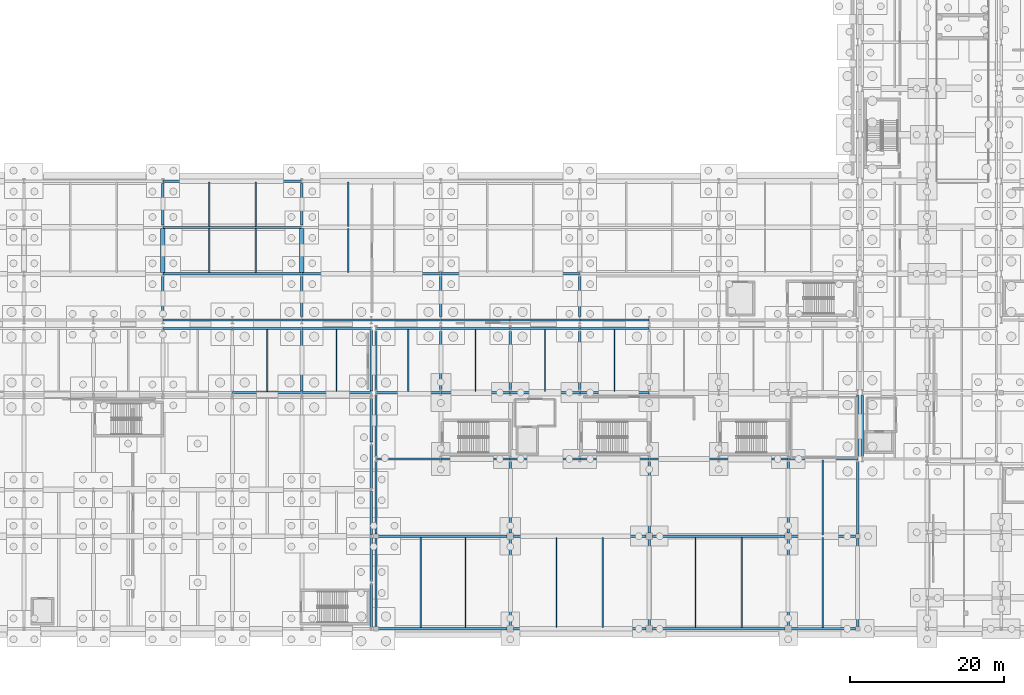
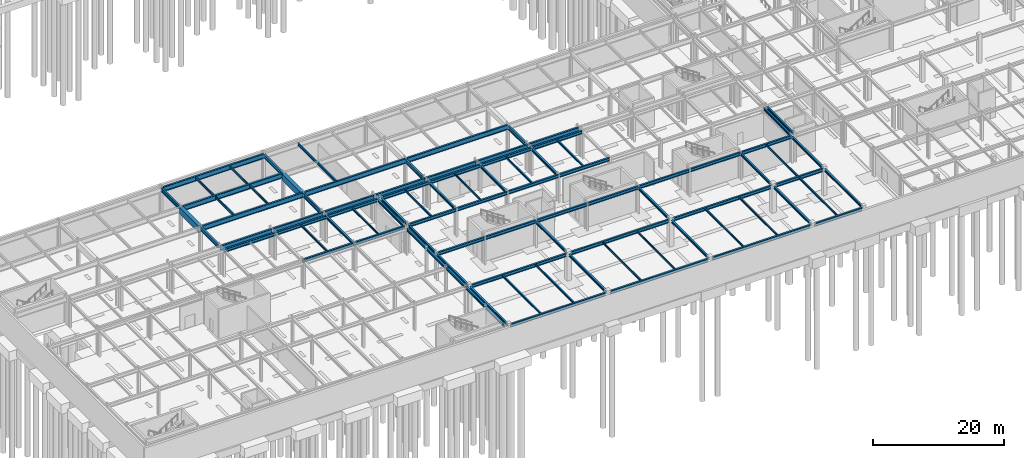
# One storey, part 35 of 65: 92 beams.
"""IFC4 building model written with IfcOpenShell, lengths in metres."""

from ifc_helpers import new_model, si_unit, direction, frame, origin, origin_2d, place, context, subcontext, project, spatial, rectangle, i_section, extrude, material, material_profile, profile_set, type_object, element, save


model = new_model("IFC4")

# Units and contexts
model_context = context("Model", 3, precision=1e-05, world=origin(), true_north=direction((0.0, 1.0)))
body_context = subcontext(model_context, "Body", "Model", "MODEL_VIEW")
ifc_project = project(units=[si_unit("LENGTHUNIT", "METRE"), si_unit("AREAUNIT", "SQUARE_METRE"), si_unit("VOLUMEUNIT", "CUBIC_METRE"), si_unit("PLANEANGLEUNIT", "RADIAN"), si_unit("MASSUNIT", "GRAM", prefix="KILO")], contexts=[model_context])

# Site, building, storey
site_placement = place(None, origin())
site = spatial("IfcSite", under=ifc_project, at=site_placement, CompositionType="ELEMENT")
building_placement = place(site_placement, origin())
building = spatial("IfcBuilding", under=site, at=building_placement, Name="Kaldris Quays Convention Centre", CompositionType="ELEMENT")
storey_placement = place(building_placement, frame((0.0, 0.0, -5.39990234375)))
storey = spatial("IfcBuildingStorey", under=building, at=storey_placement, Name="B1", CompositionType="ELEMENT", Elevation=-5.39990234375)

# Beams
ifc_material_1 = material(Name="Steel S355J2", Category="steel")
ifc_material_profile_1 = material_profile(ifc_material_1, i_section(OverallWidth=0.300048828125, OverallDepth=0.89990234375, WebThickness=0.0185546875, FlangeThickness=0.034912109375, FilletRadius=0.030029296875, at=origin_2d()), Name="HEB 900")
ifc_profile_set_1 = profile_set([ifc_material_profile_1], Name="Steel S355J2")
beam_type_1 = type_object("IfcBeamType", Name="STRUCTURAL BEAM BM02", PredefinedType="BEAM", material=ifc_profile_set_1)
beam_1_placement = place(storey_placement, frame((56.00341796875, 56.0, 4.5830078125), z_axis=(1.0, 0.0, 0.0), x_axis=(0.0, 1.0, 0.0)))
element("IfcBeam", 1, at=beam_1_placement, inside=storey, type_object=beam_type_1, Name="B1 Girder BM02 5", PredefinedType="BEAM", context=body_context, shape_type="SweptSolid", body=[
    extrude(i_section(OverallWidth=0.300048828125, OverallDepth=0.89990234375, WebThickness=0.0185546875, FlangeThickness=0.034912109375, FilletRadius=0.030029296875, at=origin_2d()), origin(), (0.0, 0.0, 1.0), 8.993408203125),
])
for number, where, z_axis, x_axis, name in (
    (2, (65.003173828125, 56.0, 4.5830078125), (1.0, 0.0, 0.0), (0.0, 1.0, 0.0), "B1 Girder BM02 6"),
    (3, (74.003173828125, 56.0, 4.5830078125), (1.0, 0.0, 0.0), (0.0, 1.0, 0.0), "B1 Girder BM02 7"),
    (4, (83.003173828125, 56.0, 4.5830078125), (1.0, 0.0, 0.0), (0.0, 1.0, 0.0), "B1 Girder BM02 8"),
    (5, (92.003173828125, 56.0, 4.5830078125), (1.0, 0.0, 0.0), (0.0, 1.0, 0.0), "B1 Girder BM02 9"),
    (6, (101.003173828125, 56.0, 4.5830078125), (1.0, 0.0, 0.0), (0.0, 1.0, 0.0), "B1 Girder BM02 10"),
    (7, (110.003173828125, 56.0, 4.5830078125), (1.0, 0.0, 0.0), (0.0, 1.0, 0.0), "B1 Girder BM02 11"),
):
    element("IfcBeam", number, at=place(storey_placement, frame(where, z_axis=z_axis, x_axis=x_axis)), inside=storey, type_object=beam_type_1, Name=name, PredefinedType="BEAM", context=body_context, shape_type="SweptSolid", body=[
        extrude(i_section(OverallWidth=0.300048828125, OverallDepth=0.89990234375, WebThickness=0.0185546875, FlangeThickness=0.034912109375, FilletRadius=0.030029296875, at=origin_2d()), origin(), (0.0, 0.0, 1.0), 8.99365234375),
    ])
for number, where, z_axis, x_axis, name in (
    (8, (56.001708984375, 62.0, 4.5830078125), (1.0, 0.0, 0.0), (0.0, 1.0, 0.0), "B1 Girder BM02 17"),
    (9, (74.001708984375, 62.0, 4.5830078125), (1.0, 0.0, 0.0), (0.0, 1.0, 0.0), "B1 Girder BM02 18"),
    (10, (92.001708984375, 62.0, 4.5830078125), (1.0, 0.0, 0.0), (0.0, 1.0, 0.0), "B1 Girder BM02 19"),
    (11, (56.001708984375, 68.0, 4.5830078125), (1.0, 0.0, 0.0), (0.0, 1.0, 0.0), "B1 Girder BM02 24"),
    (12, (56.001708984375, 74.0, 4.5078125), (1.0, 0.0, 0.0), (0.0, 1.0, 0.0), "B1 Girder BM02 31"),
):
    element("IfcBeam", number, at=place(storey_placement, frame(where, z_axis=z_axis, x_axis=x_axis)), inside=storey, type_object=beam_type_1, Name=name, PredefinedType="BEAM", context=body_context, shape_type="SweptSolid", body=[
        extrude(i_section(OverallWidth=0.300048828125, OverallDepth=0.89990234375, WebThickness=0.0185546875, FlangeThickness=0.034912109375, FilletRadius=0.030029296875, at=origin_2d()), origin(), (0.0, 0.0, 1.0), 17.99658203125),
    ])
ifc_material_profile_2 = material_profile(ifc_material_1, i_section(OverallWidth=0.300048828125, OverallDepth=0.699951171875, WebThickness=0.01708984375, FlangeThickness=0.031982421875, FilletRadius=0.027099609375, at=origin_2d()), Name="HEB 700")
ifc_profile_set_2 = profile_set([ifc_material_profile_2], Name="Steel S355J2")
beam_type_2 = type_object("IfcBeamType", Name="STRUCTURAL BEAM BM04", PredefinedType="BEAM", material=ifc_profile_set_2)
beam_2_placement = place(storey_placement, frame((56.0, 56.444091796875, 4.682861328125), z_axis=(0.0, 1.0, 0.0), x_axis=(-1.0, 0.0, 0.0)))
element("IfcBeam", 13, at=beam_2_placement, inside=storey, type_object=beam_type_2, Name="B1 Girder BM04 74", PredefinedType="BEAM", context=body_context, shape_type="SweptSolid", body=[
    extrude(i_section(OverallWidth=0.300048828125, OverallDepth=0.699951171875, WebThickness=0.01708984375, FlangeThickness=0.031982421875, FilletRadius=0.027099609375, at=origin_2d()), origin(), (0.0, 0.0, 1.0), 5.261962890625),
])
beam_3_placement = place(storey_placement, frame((56.0, 68.2939453125, 4.682861328125), z_axis=(0.0, 1.0, 0.0), x_axis=(-1.0, 0.0, 0.0)))
element("IfcBeam", 14, at=beam_3_placement, inside=storey, type_object=beam_type_2, Name="B1 Girder BM04 75", PredefinedType="BEAM", context=body_context, shape_type="SweptSolid", body=[
    extrude(i_section(OverallWidth=0.300048828125, OverallDepth=0.699951171875, WebThickness=0.01708984375, FlangeThickness=0.031982421875, FilletRadius=0.027099609375, at=origin_2d()), origin(), (0.0, 0.0, 1.0), 5.412109375),
])
beam_4_placement = place(storey_placement, frame((74.0, 56.444091796875, 4.682861328125), z_axis=(0.0, 1.0, 0.0), x_axis=(-1.0, 0.0, 0.0)))
element("IfcBeam", 15, at=beam_4_placement, inside=storey, type_object=beam_type_2, Name="B1 Girder BM04 77", PredefinedType="BEAM", context=body_context, shape_type="SweptSolid", body=[
    extrude(i_section(OverallWidth=0.300048828125, OverallDepth=0.699951171875, WebThickness=0.01708984375, FlangeThickness=0.031982421875, FilletRadius=0.027099609375, at=origin_2d()), origin(), (0.0, 0.0, 1.0), 5.261962890625),
])
beam_5_placement = place(storey_placement, frame((74.0, 68.2939453125, 4.682861328125), z_axis=(0.0, 1.0, 0.0), x_axis=(-1.0, 0.0, 0.0)))
element("IfcBeam", 16, at=beam_5_placement, inside=storey, type_object=beam_type_2, Name="B1 Girder BM04 78", PredefinedType="BEAM", context=body_context, shape_type="SweptSolid", body=[
    extrude(i_section(OverallWidth=0.300048828125, OverallDepth=0.699951171875, WebThickness=0.01708984375, FlangeThickness=0.031982421875, FilletRadius=0.027099609375, at=origin_2d()), origin(), (0.0, 0.0, 1.0), 5.412109375),
])
for number, where, z_axis, x_axis, name in (
    (17, (92.0, 56.444091796875, 4.682861328125), (0.0, 1.0, 0.0), (-1.0, 0.0, 0.0), "B1 Girder BM04 80"),
    (18, (110.0, 56.444091796875, 4.682861328125), (0.0, 1.0, 0.0), (-1.0, 0.0, 0.0), "B1 Girder BM04 83"),
):
    element("IfcBeam", number, at=place(storey_placement, frame(where, z_axis=z_axis, x_axis=x_axis)), inside=storey, type_object=beam_type_2, Name=name, PredefinedType="BEAM", context=body_context, shape_type="SweptSolid", body=[
        extrude(i_section(OverallWidth=0.300048828125, OverallDepth=0.699951171875, WebThickness=0.01708984375, FlangeThickness=0.031982421875, FilletRadius=0.027099609375, at=origin_2d()), origin(), (0.0, 0.0, 1.0), 5.261962890625),
    ])
ifc_material_profile_3 = material_profile(ifc_material_1, i_section(OverallWidth=0.300048828125, OverallDepth=0.60009765625, WebThickness=0.015380859375, FlangeThickness=0.030029296875, FilletRadius=0.027099609375, at=origin_2d()), Name="HEB 600")
ifc_profile_set_3 = profile_set([ifc_material_profile_3], Name="Steel S355J2")
beam_type_3 = type_object("IfcBeamType", Name="STRUCTURAL BEAM BM05", PredefinedType="BEAM", material=ifc_profile_set_3)
beam_6_placement = place(storey_placement, frame((83.89404296875, 16.0, 4.697998046875), z_axis=(1.0, 0.0, 0.0), x_axis=(0.0, 1.0, 0.0)))
element("IfcBeam", 19, at=beam_6_placement, inside=storey, type_object=beam_type_3, Name="B1 Girder BM05 1", PredefinedType="BEAM", context=body_context, shape_type="SweptSolid", body=[
    extrude(i_section(OverallWidth=0.300048828125, OverallDepth=0.60009765625, WebThickness=0.015380859375, FlangeThickness=0.030029296875, FilletRadius=0.027099609375, at=origin_2d()), origin(), (0.0, 0.0, 1.0), 16.7119140625),
])
for number, where, z_axis, x_axis, name in (
    (20, (101.39404296875, 16.0, 4.697998046875), (1.0, 0.0, 0.0), (0.0, 1.0, 0.0), "B1 Girder BM05 2"),
    (21, (119.39404296875, 16.0, 4.697998046875), (1.0, 0.0, 0.0), (0.0, 1.0, 0.0), "B1 Girder BM05 3"),
):
    element("IfcBeam", number, at=place(storey_placement, frame(where, z_axis=z_axis, x_axis=x_axis)), inside=storey, type_object=beam_type_3, Name=name, PredefinedType="BEAM", context=body_context, shape_type="SweptSolid", body=[
        extrude(i_section(OverallWidth=0.300048828125, OverallDepth=0.60009765625, WebThickness=0.015380859375, FlangeThickness=0.030029296875, FilletRadius=0.027099609375, at=origin_2d()), origin(), (0.0, 0.0, 1.0), 17.2119140625),
    ])
beam_7_placement = place(storey_placement, frame((137.39404296875, 16.0, 4.697998046875), z_axis=(1.0, 0.0, 0.0), x_axis=(0.0, 1.0, 0.0)))
element("IfcBeam", 22, at=beam_7_placement, inside=storey, type_object=beam_type_3, Name="B1 Girder BM05 4", PredefinedType="BEAM", context=body_context, shape_type="SweptSolid", body=[
    extrude(i_section(OverallWidth=0.300048828125, OverallDepth=0.60009765625, WebThickness=0.015380859375, FlangeThickness=0.030029296875, FilletRadius=0.027099609375, at=origin_2d()), origin(), (0.0, 0.0, 1.0), 8.31201171875),
])
beam_8_placement = place(storey_placement, frame((83.89404296875, 28.0, 4.697998046875), z_axis=(1.0, 0.0, 0.0), x_axis=(0.0, 1.0, 0.0)))
element("IfcBeam", 23, at=beam_8_placement, inside=storey, type_object=beam_type_3, Name="B1 Girder BM05 5", PredefinedType="BEAM", context=body_context, shape_type="SweptSolid", body=[
    extrude(i_section(OverallWidth=0.300048828125, OverallDepth=0.60009765625, WebThickness=0.015380859375, FlangeThickness=0.030029296875, FilletRadius=0.027099609375, at=origin_2d()), origin(), (0.0, 0.0, 1.0), 16.7119140625),
])
for number, where, z_axis, x_axis, name in (
    (24, (101.39404296875, 28.0, 4.697998046875), (1.0, 0.0, 0.0), (0.0, 1.0, 0.0), "B1 Girder BM05 6"),
    (25, (119.39404296875, 28.0, 4.697998046875), (1.0, 0.0, 0.0), (0.0, 1.0, 0.0), "B1 Girder BM05 7"),
):
    element("IfcBeam", number, at=place(storey_placement, frame(where, z_axis=z_axis, x_axis=x_axis)), inside=storey, type_object=beam_type_3, Name=name, PredefinedType="BEAM", context=body_context, shape_type="SweptSolid", body=[
        extrude(i_section(OverallWidth=0.300048828125, OverallDepth=0.60009765625, WebThickness=0.015380859375, FlangeThickness=0.030029296875, FilletRadius=0.027099609375, at=origin_2d()), origin(), (0.0, 0.0, 1.0), 17.2119140625),
    ])
beam_9_placement = place(storey_placement, frame((137.39404296875, 28.0, 4.697998046875), z_axis=(1.0, 0.0, 0.0), x_axis=(0.0, 1.0, 0.0)))
element("IfcBeam", 26, at=beam_9_placement, inside=storey, type_object=beam_type_3, Name="B1 Girder BM05 8", PredefinedType="BEAM", context=body_context, shape_type="SweptSolid", body=[
    extrude(i_section(OverallWidth=0.300048828125, OverallDepth=0.60009765625, WebThickness=0.015380859375, FlangeThickness=0.030029296875, FilletRadius=0.027099609375, at=origin_2d()), origin(), (0.0, 0.0, 1.0), 8.31201171875),
])
beam_10_placement = place(storey_placement, frame((83.6025390625, 38.0, 4.697998046875), z_axis=(1.0, 0.0, 0.0), x_axis=(0.0, 1.0, 0.0)))
element("IfcBeam", 27, at=beam_10_placement, inside=storey, type_object=beam_type_3, Name="B1 Girder BM05 9", PredefinedType="BEAM", context=body_context, shape_type="SweptSolid", body=[
    extrude(i_section(OverallWidth=0.300048828125, OverallDepth=0.60009765625, WebThickness=0.015380859375, FlangeThickness=0.030029296875, FilletRadius=0.027099609375, at=origin_2d()), origin(), (0.0, 0.0, 1.0), 8.39501953125),
])
for number, where, z_axis, x_axis, name in (
    (28, (92.00244140625, 38.0, 4.697998046875), (1.0, 0.0, 0.0), (0.0, 1.0, 0.0), "B1 Girder BM05 10"),
    (29, (101.00244140625, 38.0, 4.697998046875), (1.0, 0.0, 0.0), (0.0, 1.0, 0.0), "B1 Girder BM05 11"),
    (30, (110.00244140625, 38.0, 4.697998046875), (1.0, 0.0, 0.0), (0.0, 1.0, 0.0), "B1 Girder BM05 12"),
    (31, (119.00244140625, 38.0, 4.697998046875), (1.0, 0.0, 0.0), (0.0, 1.0, 0.0), "B1 Girder BM05 13"),
    (32, (128.00244140625, 38.0, 4.697998046875), (1.0, 0.0, 0.0), (0.0, 1.0, 0.0), "B1 Girder BM05 14"),
    (33, (137.00244140625, 38.0, 4.697998046875), (1.0, 0.0, 0.0), (0.0, 1.0, 0.0), "B1 Girder BM05 15"),
):
    element("IfcBeam", number, at=place(storey_placement, frame(where, z_axis=z_axis, x_axis=x_axis)), inside=storey, type_object=beam_type_3, Name=name, PredefinedType="BEAM", context=body_context, shape_type="SweptSolid", body=[
        extrude(i_section(OverallWidth=0.300048828125, OverallDepth=0.60009765625, WebThickness=0.015380859375, FlangeThickness=0.030029296875, FilletRadius=0.027099609375, at=origin_2d()), origin(), (0.0, 0.0, 1.0), 8.9951171875),
    ])
for number, where, z_axis, x_axis, name in (
    (34, (64.99951171875, 46.60009765625, 4.747802734375), (1.0, 0.0, 0.0), (0.0, 1.0, 0.0), "B1 Girder BM05 22"),
    (35, (73.99951171875, 46.60009765625, 4.747802734375), (1.0, 0.0, 0.0), (0.0, 1.0, 0.0), "B1 Girder BM05 23"),
):
    element("IfcBeam", number, at=place(storey_placement, frame(where, z_axis=z_axis, x_axis=x_axis)), inside=storey, type_object=beam_type_3, Name=name, PredefinedType="BEAM", context=body_context, shape_type="SweptSolid", body=[
        extrude(i_section(OverallWidth=0.300048828125, OverallDepth=0.60009765625, WebThickness=0.015380859375, FlangeThickness=0.030029296875, FilletRadius=0.027099609375, at=origin_2d()), origin(), (0.0, 0.0, 1.0), 9.0009765625),
    ])
beam_11_placement = place(storey_placement, frame((83.6025390625, 46.60009765625, 4.802978515625), z_axis=(1.0, 0.0, 0.0), x_axis=(0.0, 1.0, 0.0)))
element("IfcBeam", 36, at=beam_11_placement, inside=storey, type_object=beam_type_3, Name="B1 Girder BM05 24", PredefinedType="BEAM", context=body_context, shape_type="SweptSolid", body=[
    extrude(i_section(OverallWidth=0.300048828125, OverallDepth=0.60009765625, WebThickness=0.015380859375, FlangeThickness=0.030029296875, FilletRadius=0.027099609375, at=origin_2d()), origin(), (0.0, 0.0, 1.0), 8.39501953125),
])
for number, where, z_axis, x_axis, name in (
    (37, (92.00244140625, 46.60009765625, 4.802978515625), (1.0, 0.0, 0.0), (0.0, 1.0, 0.0), "B1 Girder BM05 25"),
    (38, (101.00244140625, 46.60009765625, 4.802978515625), (1.0, 0.0, 0.0), (0.0, 1.0, 0.0), "B1 Girder BM05 26"),
    (39, (110.00244140625, 46.60009765625, 4.802978515625), (1.0, 0.0, 0.0), (0.0, 1.0, 0.0), "B1 Girder BM05 27"),
):
    element("IfcBeam", number, at=place(storey_placement, frame(where, z_axis=z_axis, x_axis=x_axis)), inside=storey, type_object=beam_type_3, Name=name, PredefinedType="BEAM", context=body_context, shape_type="SweptSolid", body=[
        extrude(i_section(OverallWidth=0.300048828125, OverallDepth=0.60009765625, WebThickness=0.015380859375, FlangeThickness=0.030029296875, FilletRadius=0.027099609375, at=origin_2d()), origin(), (0.0, 0.0, 1.0), 8.9951171875),
    ])
for number, where, z_axis, x_axis, name in (
    (40, (55.99951171875, 54.89990234375, 4.747802734375), (1.0, 0.0, 0.0), (0.0, 1.0, 0.0), "B1 Girder BM05 40"),
    (41, (64.99951171875, 54.89990234375, 4.747802734375), (1.0, 0.0, 0.0), (0.0, 1.0, 0.0), "B1 Girder BM05 41"),
    (42, (73.99951171875, 54.89990234375, 4.747802734375), (1.0, 0.0, 0.0), (0.0, 1.0, 0.0), "B1 Girder BM05 42"),
):
    element("IfcBeam", number, at=place(storey_placement, frame(where, z_axis=z_axis, x_axis=x_axis)), inside=storey, type_object=beam_type_3, Name=name, PredefinedType="BEAM", context=body_context, shape_type="SweptSolid", body=[
        extrude(i_section(OverallWidth=0.300048828125, OverallDepth=0.60009765625, WebThickness=0.015380859375, FlangeThickness=0.030029296875, FilletRadius=0.027099609375, at=origin_2d()), origin(), (0.0, 0.0, 1.0), 9.0009765625),
    ])
beam_12_placement = place(storey_placement, frame((83.6025390625, 54.89990234375, 4.802978515625), z_axis=(1.0, 0.0, 0.0), x_axis=(0.0, 1.0, 0.0)))
element("IfcBeam", 43, at=beam_12_placement, inside=storey, type_object=beam_type_3, Name="B1 Girder BM05 43", PredefinedType="BEAM", context=body_context, shape_type="SweptSolid", body=[
    extrude(i_section(OverallWidth=0.300048828125, OverallDepth=0.60009765625, WebThickness=0.015380859375, FlangeThickness=0.030029296875, FilletRadius=0.027099609375, at=origin_2d()), origin(), (0.0, 0.0, 1.0), 8.39501953125),
])
for number, where, z_axis, x_axis, name in (
    (44, (92.00244140625, 54.89990234375, 4.802978515625), (1.0, 0.0, 0.0), (0.0, 1.0, 0.0), "B1 Girder BM05 44"),
    (45, (101.00244140625, 54.89990234375, 4.802978515625), (1.0, 0.0, 0.0), (0.0, 1.0, 0.0), "B1 Girder BM05 45"),
    (46, (110.00244140625, 54.89990234375, 4.802978515625), (1.0, 0.0, 0.0), (0.0, 1.0, 0.0), "B1 Girder BM05 46"),
):
    element("IfcBeam", number, at=place(storey_placement, frame(where, z_axis=z_axis, x_axis=x_axis)), inside=storey, type_object=beam_type_3, Name=name, PredefinedType="BEAM", context=body_context, shape_type="SweptSolid", body=[
        extrude(i_section(OverallWidth=0.300048828125, OverallDepth=0.60009765625, WebThickness=0.015380859375, FlangeThickness=0.030029296875, FilletRadius=0.027099609375, at=origin_2d()), origin(), (0.0, 0.0, 1.0), 8.9951171875),
    ])
ifc_material_profile_4 = material_profile(ifc_material_1, i_section(OverallWidth=0.300048828125, OverallDepth=0.5, WebThickness=0.014404296875, FlangeThickness=0.028076171875, FilletRadius=0.027099609375, at=origin_2d()), Name="HEB 500")
ifc_profile_set_4 = profile_set([ifc_material_profile_4], Name="Steel S355J2")
beam_type_4 = type_object("IfcBeamType", Name="STRUCTURAL BEAM BM06", PredefinedType="BEAM", material=ifc_profile_set_4)
for number, where, z_axis, x_axis, name in (
    (47, (83.0, 16.19140625, 4.852783203125), (0.0, 1.0, 0.0), (-1.0, 0.0, 0.0), "B1 Girder BM06 48"),
    (48, (83.0, 22.19140625, 4.852783203125), (0.0, 1.0, 0.0), (-1.0, 0.0, 0.0), "B1 Girder BM06 49"),
    (49, (83.0, 28.19140625, 4.852783203125), (0.0, 1.0, 0.0), (-1.0, 0.0, 0.0), "B1 Girder BM06 50"),
    (50, (83.0, 34.19140625, 4.7978515625), (0.0, 1.0, 0.0), (-1.0, 0.0, 0.0), "B1 Girder BM06 51"),
    (51, (83.0, 40.19140625, 4.7978515625), (0.0, 1.0, 0.0), (-1.0, 0.0, 0.0), "B1 Girder BM06 52"),
):
    element("IfcBeam", number, at=place(storey_placement, frame(where, z_axis=z_axis, x_axis=x_axis)), inside=storey, type_object=beam_type_4, Name=name, PredefinedType="BEAM", context=body_context, shape_type="SweptSolid", body=[
        extrude(i_section(OverallWidth=0.300048828125, OverallDepth=0.5, WebThickness=0.014404296875, FlangeThickness=0.028076171875, FilletRadius=0.027099609375, at=origin_2d()), origin(), (0.0, 0.0, 1.0), 5.6171875),
    ])
ifc_material_profile_5 = material_profile(ifc_material_1, i_section(OverallWidth=0.300048828125, OverallDepth=0.449951171875, WebThickness=0.013916015625, FlangeThickness=0.02587890625, FilletRadius=0.027099609375, at=origin_2d()), Name="HEB 450")
ifc_profile_set_5 = profile_set([ifc_material_profile_5], Name="Steel S355J2")
beam_type_5 = type_object("IfcBeamType", Name="STRUCTURAL BEAM BM07", PredefinedType="BEAM", material=ifc_profile_set_5)
for number, where, z_axis, x_axis, name in (
    (52, (74.0, 46.7890625, 4.822998046875), (0.0, 1.0, 0.0), (-1.0, 0.0, 0.0), "B1 Girder BM07 92"),
    (53, (83.0, 46.7890625, 4.822998046875), (0.0, 1.0, 0.0), (-1.0, 0.0, 0.0), "B1 Girder BM07 93"),
):
    element("IfcBeam", number, at=place(storey_placement, frame(where, z_axis=z_axis, x_axis=x_axis)), inside=storey, type_object=beam_type_5, Name=name, PredefinedType="BEAM", context=body_context, shape_type="SweptSolid", body=[
        extrude(i_section(OverallWidth=0.300048828125, OverallDepth=0.449951171875, WebThickness=0.013916015625, FlangeThickness=0.02587890625, FilletRadius=0.027099609375, at=origin_2d()), origin(), (0.0, 0.0, 1.0), 7.921875),
    ])
beam_13_placement = place(storey_placement, frame((83.60009765625, 16.2939453125, 4.77294921875), z_axis=(0.0, 1.0, 0.0), x_axis=(-1.0, 0.0, 0.0)))
element("IfcBeam", 54, at=beam_13_placement, inside=storey, type_object=beam_type_5, Name="B1 Girder BM07 94", PredefinedType="BEAM", context=body_context, shape_type="SweptSolid", body=[
    extrude(i_section(OverallWidth=0.300048828125, OverallDepth=0.449951171875, WebThickness=0.013916015625, FlangeThickness=0.02587890625, FilletRadius=0.027099609375, at=origin_2d()), origin(), (0.0, 0.0, 1.0), 11.412109375),
])
beam_14_placement = place(storey_placement, frame((83.60009765625, 28.2939453125, 4.77294921875), z_axis=(0.0, 1.0, 0.0), x_axis=(-1.0, 0.0, 0.0)))
element("IfcBeam", 55, at=beam_14_placement, inside=storey, type_object=beam_type_5, Name="B1 Girder BM07 95", PredefinedType="BEAM", context=body_context, shape_type="SweptSolid", body=[
    extrude(i_section(OverallWidth=0.300048828125, OverallDepth=0.449951171875, WebThickness=0.013916015625, FlangeThickness=0.02587890625, FilletRadius=0.027099609375, at=origin_2d()), origin(), (0.0, 0.0, 1.0), 9.362060546875),
])
beam_15_placement = place(storey_placement, frame((83.60009765625, 38.343994140625, 4.8779296875), z_axis=(0.0, 1.0, 0.0), x_axis=(-1.0, 0.0, 0.0)))
element("IfcBeam", 56, at=beam_15_placement, inside=storey, type_object=beam_type_5, Name="B1 Girder BM07 96", PredefinedType="BEAM", context=body_context, shape_type="SweptSolid", body=[
    extrude(i_section(OverallWidth=0.300048828125, OverallDepth=0.449951171875, WebThickness=0.013916015625, FlangeThickness=0.02587890625, FilletRadius=0.027099609375, at=origin_2d()), origin(), (0.0, 0.0, 1.0), 7.912109375),
])
for number, where, z_axis, x_axis, name in (
    (57, (83.60009765625, 46.944091796875, 4.8779296875), (0.0, 1.0, 0.0), (-1.0, 0.0, 0.0), "B1 Girder BM07 97"),
    (58, (92.0, 46.944091796875, 4.8779296875), (0.0, 1.0, 0.0), (-1.0, 0.0, 0.0), "B1 Girder BM07 98"),
):
    element("IfcBeam", number, at=place(storey_placement, frame(where, z_axis=z_axis, x_axis=x_axis)), inside=storey, type_object=beam_type_5, Name=name, PredefinedType="BEAM", context=body_context, shape_type="SweptSolid", body=[
        extrude(i_section(OverallWidth=0.300048828125, OverallDepth=0.449951171875, WebThickness=0.013916015625, FlangeThickness=0.02587890625, FilletRadius=0.027099609375, at=origin_2d()), origin(), (0.0, 0.0, 1.0), 7.61181640625),
    ])
beam_16_placement = place(storey_placement, frame((101.0, 16.39404296875, 4.77294921875), z_axis=(0.0, 1.0, 0.0), x_axis=(-1.0, 0.0, 0.0)))
element("IfcBeam", 59, at=beam_16_placement, inside=storey, type_object=beam_type_5, Name="B1 Girder BM07 99", PredefinedType="BEAM", context=body_context, shape_type="SweptSolid", body=[
    extrude(i_section(OverallWidth=0.300048828125, OverallDepth=0.449951171875, WebThickness=0.013916015625, FlangeThickness=0.02587890625, FilletRadius=0.027099609375, at=origin_2d()), origin(), (0.0, 0.0, 1.0), 11.2119140625),
])
beam_17_placement = place(storey_placement, frame((101.0, 28.39404296875, 4.77294921875), z_axis=(0.0, 1.0, 0.0), x_axis=(-1.0, 0.0, 0.0)))
element("IfcBeam", 60, at=beam_17_placement, inside=storey, type_object=beam_type_5, Name="B1 Girder BM07 100", PredefinedType="BEAM", context=body_context, shape_type="SweptSolid", body=[
    extrude(i_section(OverallWidth=0.300048828125, OverallDepth=0.449951171875, WebThickness=0.013916015625, FlangeThickness=0.02587890625, FilletRadius=0.027099609375, at=origin_2d()), origin(), (0.0, 0.0, 1.0), 9.261962890625),
])
for number, where, z_axis, x_axis, name in (
    (61, (101.0, 46.944091796875, 4.8779296875), (0.0, 1.0, 0.0), (-1.0, 0.0, 0.0), "B1 Girder BM07 101"),
    (62, (110.0, 46.944091796875, 4.8779296875), (0.0, 1.0, 0.0), (-1.0, 0.0, 0.0), "B1 Girder BM07 102"),
):
    element("IfcBeam", number, at=place(storey_placement, frame(where, z_axis=z_axis, x_axis=x_axis)), inside=storey, type_object=beam_type_5, Name=name, PredefinedType="BEAM", context=body_context, shape_type="SweptSolid", body=[
        extrude(i_section(OverallWidth=0.300048828125, OverallDepth=0.449951171875, WebThickness=0.013916015625, FlangeThickness=0.02587890625, FilletRadius=0.027099609375, at=origin_2d()), origin(), (0.0, 0.0, 1.0), 7.61181640625),
    ])
beam_18_placement = place(storey_placement, frame((119.0, 16.39404296875, 4.77294921875), z_axis=(0.0, 1.0, 0.0), x_axis=(-1.0, 0.0, 0.0)))
element("IfcBeam", 63, at=beam_18_placement, inside=storey, type_object=beam_type_5, Name="B1 Girder BM07 103", PredefinedType="BEAM", context=body_context, shape_type="SweptSolid", body=[
    extrude(i_section(OverallWidth=0.300048828125, OverallDepth=0.449951171875, WebThickness=0.013916015625, FlangeThickness=0.02587890625, FilletRadius=0.027099609375, at=origin_2d()), origin(), (0.0, 0.0, 1.0), 11.2119140625),
])
beam_19_placement = place(storey_placement, frame((119.0, 28.39404296875, 4.77294921875), z_axis=(0.0, 1.0, 0.0), x_axis=(-1.0, 0.0, 0.0)))
element("IfcBeam", 64, at=beam_19_placement, inside=storey, type_object=beam_type_5, Name="B1 Girder BM07 104", PredefinedType="BEAM", context=body_context, shape_type="SweptSolid", body=[
    extrude(i_section(OverallWidth=0.300048828125, OverallDepth=0.449951171875, WebThickness=0.013916015625, FlangeThickness=0.02587890625, FilletRadius=0.027099609375, at=origin_2d()), origin(), (0.0, 0.0, 1.0), 9.261962890625),
])
beam_20_placement = place(storey_placement, frame((137.0, 16.39404296875, 4.77294921875), z_axis=(0.0, 1.0, 0.0), x_axis=(-1.0, 0.0, 0.0)))
element("IfcBeam", 65, at=beam_20_placement, inside=storey, type_object=beam_type_5, Name="B1 Girder BM07 107", PredefinedType="BEAM", context=body_context, shape_type="SweptSolid", body=[
    extrude(i_section(OverallWidth=0.300048828125, OverallDepth=0.449951171875, WebThickness=0.013916015625, FlangeThickness=0.02587890625, FilletRadius=0.027099609375, at=origin_2d()), origin(), (0.0, 0.0, 1.0), 11.2119140625),
])
beam_21_placement = place(storey_placement, frame((137.0, 28.39404296875, 4.77294921875), z_axis=(0.0, 1.0, 0.0), x_axis=(-1.0, 0.0, 0.0)))
element("IfcBeam", 66, at=beam_21_placement, inside=storey, type_object=beam_type_5, Name="B1 Girder BM07 108", PredefinedType="BEAM", context=body_context, shape_type="SweptSolid", body=[
    extrude(i_section(OverallWidth=0.300048828125, OverallDepth=0.449951171875, WebThickness=0.013916015625, FlangeThickness=0.02587890625, FilletRadius=0.027099609375, at=origin_2d()), origin(), (0.0, 0.0, 1.0), 9.261962890625),
])
beam_22_placement = place(storey_placement, frame((146.0, 16.2939453125, 4.77294921875), z_axis=(0.0, 1.0, 0.0), x_axis=(-1.0, 0.0, 0.0)))
element("IfcBeam", 67, at=beam_22_placement, inside=storey, type_object=beam_type_5, Name="B1 Girder BM07 110", PredefinedType="BEAM", context=body_context, shape_type="SweptSolid", body=[
    extrude(i_section(OverallWidth=0.300048828125, OverallDepth=0.449951171875, WebThickness=0.013916015625, FlangeThickness=0.02587890625, FilletRadius=0.027099609375, at=origin_2d()), origin(), (0.0, 0.0, 1.0), 11.412109375),
])
beam_23_placement = place(storey_placement, frame((146.0, 28.2939453125, 4.77294921875), z_axis=(0.0, 1.0, 0.0), x_axis=(-1.0, 0.0, 0.0)))
element("IfcBeam", 68, at=beam_23_placement, inside=storey, type_object=beam_type_5, Name="B1 Girder BM07 111", PredefinedType="BEAM", context=body_context, shape_type="SweptSolid", body=[
    extrude(i_section(OverallWidth=0.300048828125, OverallDepth=0.449951171875, WebThickness=0.013916015625, FlangeThickness=0.02587890625, FilletRadius=0.027099609375, at=origin_2d()), origin(), (0.0, 0.0, 1.0), 9.362060546875),
])
for number, where, z_axis, x_axis, name in (
    (69, (146.0, 38.343994140625, 4.8779296875), (0.0, 1.0, 0.0), (-1.0, 0.0, 0.0), "B1 Girder BM07 112"),
    (70, (146.60009765625, 38.343994140625, 4.8779296875), (0.0, 1.0, 0.0), (-1.0, 0.0, 0.0), "B1 Girder BM07 114"),
):
    element("IfcBeam", number, at=place(storey_placement, frame(where, z_axis=z_axis, x_axis=x_axis)), inside=storey, type_object=beam_type_5, Name=name, PredefinedType="BEAM", context=body_context, shape_type="SweptSolid", body=[
        extrude(i_section(OverallWidth=0.300048828125, OverallDepth=0.449951171875, WebThickness=0.013916015625, FlangeThickness=0.02587890625, FilletRadius=0.027099609375, at=origin_2d()), origin(), (0.0, 0.0, 1.0), 7.912109375),
    ])
ifc_material_profile_6 = material_profile(ifc_material_1, i_section(OverallWidth=0.18994140625, OverallDepth=0.449951171875, WebThickness=0.009521484375, FlangeThickness=0.0146484375, FilletRadius=0.02099609375, at=origin_2d()), Name="IPE 450")
ifc_profile_set_6 = profile_set([ifc_material_profile_6], Name="Steel S355J2")
beam_type_6 = type_object("IfcBeamType", Name="STRUCTURAL BEAM JT01", PredefinedType="JOIST", material=ifc_profile_set_6)
for number, where, z_axis, x_axis, name in (
    (71, (62.0, 62.14404296875, 4.807861328125), (0.0, 1.0, 0.0), (-1.0, 0.0, 0.0), "B1 Secondary Joist JT01 5"),
    (72, (68.0, 62.14404296875, 4.807861328125), (0.0, 1.0, 0.0), (-1.0, 0.0, 0.0), "B1 Secondary Joist JT01 6"),
    (73, (80.0, 62.14404296875, 4.807861328125), (0.0, 1.0, 0.0), (-1.0, 0.0, 0.0), "B1 Secondary Joist JT01 7"),
    (74, (62.0, 68.14404296875, 4.73291015625), (0.0, 1.0, 0.0), (-1.0, 0.0, 0.0), "B1 Secondary Joist JT01 19"),
    (75, (68.0, 68.14404296875, 4.73291015625), (0.0, 1.0, 0.0), (-1.0, 0.0, 0.0), "B1 Secondary Joist JT01 20"),
    (76, (80.0, 68.14404296875, 4.73291015625), (0.0, 1.0, 0.0), (-1.0, 0.0, 0.0), "B1 Secondary Joist JT01 21"),
):
    element("IfcBeam", number, at=place(storey_placement, frame(where, z_axis=z_axis, x_axis=x_axis)), inside=storey, type_object=beam_type_6, Name=name, PredefinedType="JOIST", context=body_context, shape_type="SweptSolid", body=[
        extrude(i_section(OverallWidth=0.18994140625, OverallDepth=0.449951171875, WebThickness=0.009521484375, FlangeThickness=0.0146484375, FilletRadius=0.02099609375, at=origin_2d()), origin(), (0.0, 0.0, 1.0), 5.7119140625),
    ])
ifc_material_profile_7 = material_profile(ifc_material_1, i_section(OverallWidth=0.169921875, OverallDepth=0.360107421875, WebThickness=0.008056640625, FlangeThickness=0.0126953125, FilletRadius=0.01806640625, at=origin_2d()), Name="IPE 360")
ifc_profile_set_7 = profile_set([ifc_material_profile_7], Name="Steel S355J2")
beam_type_7 = type_object("IfcBeamType", Name="STRUCTURAL BEAM JT03", PredefinedType="JOIST", material=ifc_profile_set_7)
for number, where, z_axis, x_axis, name in (
    (77, (89.39990234375, 16.14404296875, 4.81787109375), (0.0, 1.0, 0.0), (-1.0, 0.0, 0.0), "B1 Secondary Joist JT03 1"),
    (78, (95.199951171875, 16.14404296875, 4.81787109375), (0.0, 1.0, 0.0), (-1.0, 0.0, 0.0), "B1 Secondary Joist JT03 2"),
    (79, (107.0, 16.14404296875, 4.81787109375), (0.0, 1.0, 0.0), (-1.0, 0.0, 0.0), "B1 Secondary Joist JT03 3"),
    (80, (113.0, 16.14404296875, 4.81787109375), (0.0, 1.0, 0.0), (-1.0, 0.0, 0.0), "B1 Secondary Joist JT03 4"),
    (81, (125.0, 16.14404296875, 4.81787109375), (0.0, 1.0, 0.0), (-1.0, 0.0, 0.0), "B1 Secondary Joist JT03 5"),
    (82, (131.0, 16.14404296875, 4.81787109375), (0.0, 1.0, 0.0), (-1.0, 0.0, 0.0), "B1 Secondary Joist JT03 6"),
    (83, (141.5, 16.14404296875, 4.81787109375), (0.0, 1.0, 0.0), (-1.0, 0.0, 0.0), "B1 Secondary Joist JT03 7"),
):
    element("IfcBeam", number, at=place(storey_placement, frame(where, z_axis=z_axis, x_axis=x_axis)), inside=storey, type_object=beam_type_7, Name=name, PredefinedType="JOIST", context=body_context, shape_type="SweptSolid", body=[
        extrude(i_section(OverallWidth=0.169921875, OverallDepth=0.360107421875, WebThickness=0.008056640625, FlangeThickness=0.0126953125, FilletRadius=0.01806640625, at=origin_2d()), origin(), (0.0, 0.0, 1.0), 11.7119140625),
    ])
beam_24_placement = place(storey_placement, frame((141.5, 28.14404296875, 4.81787109375), z_axis=(0.0, 1.0, 0.0), x_axis=(-1.0, 0.0, 0.0)))
element("IfcBeam", 84, at=beam_24_placement, inside=storey, type_object=beam_type_7, Name="B1 Secondary Joist JT03 8", PredefinedType="JOIST", context=body_context, shape_type="SweptSolid", body=[
    extrude(i_section(OverallWidth=0.169921875, OverallDepth=0.360107421875, WebThickness=0.008056640625, FlangeThickness=0.0126953125, FilletRadius=0.01806640625, at=origin_2d()), origin(), (0.0, 0.0, 1.0), 9.7119140625),
])
for number, where, z_axis, x_axis, name in (
    (85, (69.5, 46.743896484375, 4.867919921875), (0.0, 1.0, 0.0), (-1.0, 0.0, 0.0), "B1 Secondary Joist JT03 15"),
    (86, (78.5, 46.743896484375, 4.867919921875), (0.0, 1.0, 0.0), (-1.0, 0.0, 0.0), "B1 Secondary Joist JT03 16"),
    (87, (87.800048828125, 46.743896484375, 4.9228515625), (0.0, 1.0, 0.0), (-1.0, 0.0, 0.0), "B1 Secondary Joist JT03 17"),
    (88, (96.5, 46.743896484375, 4.9228515625), (0.0, 1.0, 0.0), (-1.0, 0.0, 0.0), "B1 Secondary Joist JT03 18"),
    (89, (105.5, 46.743896484375, 4.9228515625), (0.0, 1.0, 0.0), (-1.0, 0.0, 0.0), "B1 Secondary Joist JT03 19"),
    (90, (114.5, 46.743896484375, 4.9228515625), (0.0, 1.0, 0.0), (-1.0, 0.0, 0.0), "B1 Secondary Joist JT03 20"),
):
    element("IfcBeam", number, at=place(storey_placement, frame(where, z_axis=z_axis, x_axis=x_axis)), inside=storey, type_object=beam_type_7, Name=name, PredefinedType="JOIST", context=body_context, shape_type="SweptSolid", body=[
        extrude(i_section(OverallWidth=0.169921875, OverallDepth=0.360107421875, WebThickness=0.008056640625, FlangeThickness=0.0126953125, FilletRadius=0.01806640625, at=origin_2d()), origin(), (0.0, 0.0, 1.0), 8.01220703125),
    ])
ifc_material_2 = material(Name="Concrete C35/45", Category="concrete")
ifc_material_profile_8 = material_profile(ifc_material_2, rectangle(XDim=0.60009765625, YDim=1.199951171875, at=origin_2d()), Name="RC 600x1200")
ifc_profile_set_8 = profile_set([ifc_material_profile_8], Name="Concrete C35/45")
beam_type_8 = type_object("IfcBeamType", Name="STRUCTURAL BEAM TB01", PredefinedType="T_BEAM", material=ifc_profile_set_8)
for number, where, z_axis, x_axis, name in (
    (91, (56.0, 62.139892578125, 4.432861328125), (0.0, 1.0, 0.0), (-1.0, 0.0, 0.0), "B1 Ceiling RC T-Beam TB01 2"),
    (92, (74.0, 62.139892578125, 4.432861328125), (0.0, 1.0, 0.0), (-1.0, 0.0, 0.0), "B1 Ceiling RC T-Beam TB01 3"),
):
    element("IfcBeam", number, at=place(storey_placement, frame(where, z_axis=z_axis, x_axis=x_axis)), inside=storey, type_object=beam_type_8, Name=name, PredefinedType="T_BEAM", context=body_context, shape_type="SweptSolid", body=[
        extrude(rectangle(XDim=0.60009765625, YDim=1.199951171875, at=origin_2d()), origin(), (0.0, 0.0, 1.0), 5.72021484375),
    ])

save(model, "model.ifc")
